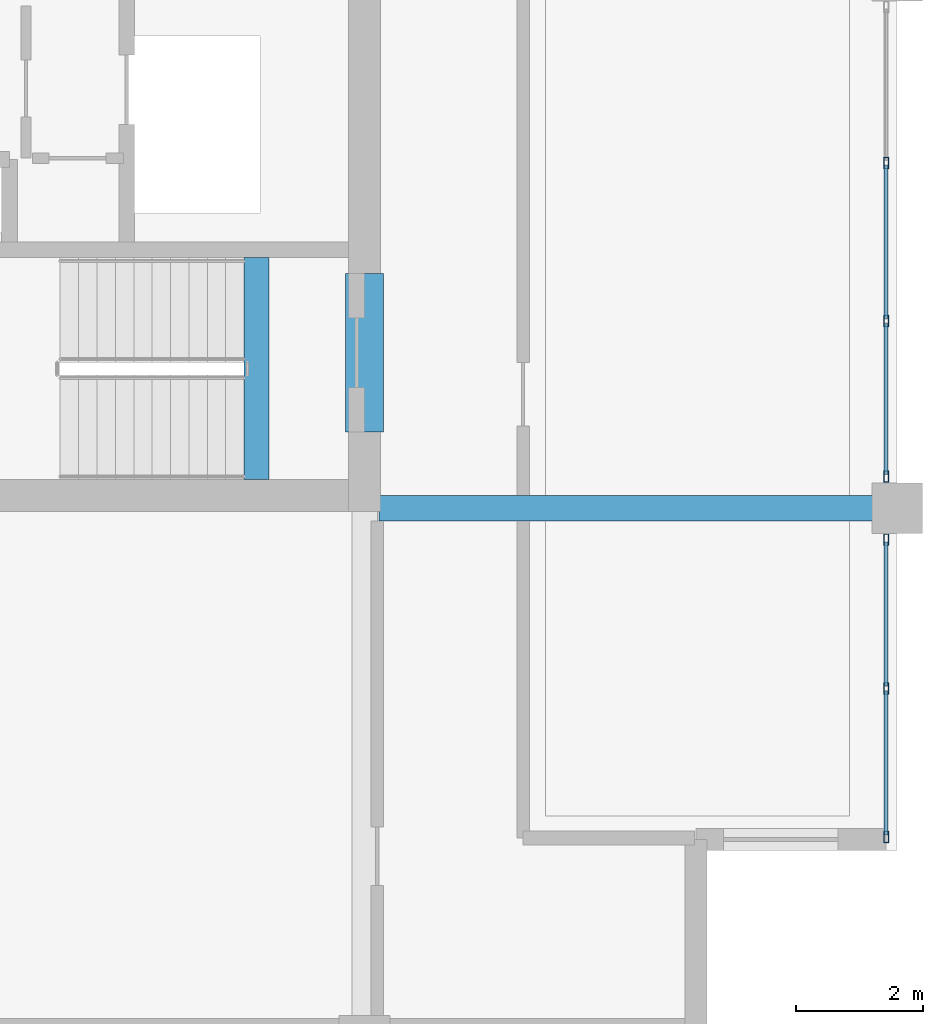
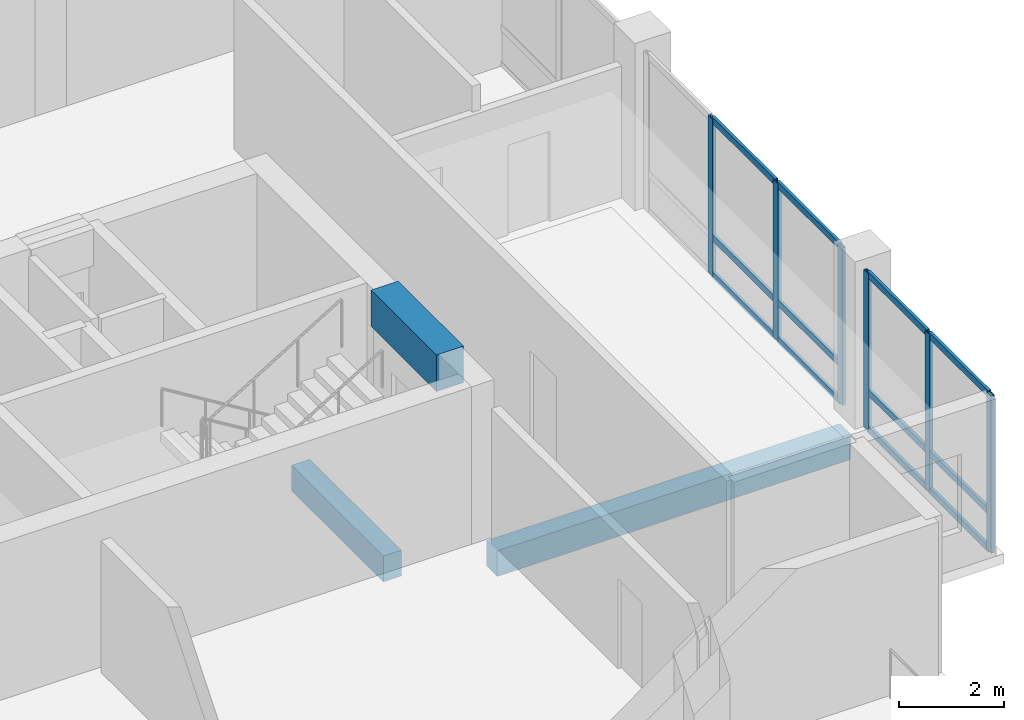
# One storey, part 2 of 14: 18 members, 3 beams, 2 elements without a shape of their own.
"""IFC4 building model written with IfcOpenShell, lengths in metres."""

from ifc_helpers import new_model, si_unit, direction, frame, origin, origin_2d, place, context, subcontext, project, spatial, rectangle, hollow_rectangle, extrude, material, layer, layer_set, material_profile, profile_set, type_object, element, aggregate, save


model = new_model("IFC4")

# Units and contexts
model_context = context("Model", 3, precision=1e-05, world=origin(), true_north=direction((0.0, 1.0)))
body_context = subcontext(model_context, "Body", "Model", "MODEL_VIEW")
ifc_project = project(units=[si_unit("LENGTHUNIT", "METRE"), si_unit("AREAUNIT", "SQUARE_METRE"), si_unit("VOLUMEUNIT", "CUBIC_METRE"), si_unit("PLANEANGLEUNIT", "RADIAN"), si_unit("MASSUNIT", "GRAM", prefix="KILO")], contexts=[model_context])

# Site, building, storey
site_placement = place(None, origin())
site = spatial("IfcSite", under=ifc_project, at=site_placement, CompositionType="ELEMENT")
building_placement = place(site_placement, origin())
building = spatial("IfcBuilding", under=site, at=building_placement, Name="Koriwani Terraces Tower", CompositionType="ELEMENT")
storey_placement = place(building_placement, frame((0.0, 0.0, 308.60009765625)))
storey = spatial("IfcBuildingStorey", under=building, at=storey_placement, Name="L76", CompositionType="ELEMENT", Elevation=308.60009765625)

# Beams
ifc_material_1 = material(Name="Concrete C50/60", Category="concrete")
ifc_material_profile_1 = material_profile(ifc_material_1, rectangle(XDim=0.60009765625, YDim=0.85009765625, at=origin_2d()), Name="Concrete C50/60", Category="LoadBearing")
ifc_profile_set_1 = profile_set([ifc_material_profile_1], Name="Concrete C50/60")
beam_type_1 = type_object("IfcBeamType", Name="BEAM_RC_COUPLING_600X850", PredefinedType="LINTEL", material=ifc_profile_set_1)
beam_1_placement = place(storey_placement, frame((58.800048828125, 18.0, 3.244873046875), z_axis=(0.0, 1.0, 0.0), x_axis=(-1.0, 0.0, 0.0)))
element("IfcBeam", 1, at=beam_1_placement, inside=storey, type_object=beam_type_1, Name="L76 Core Coupling Lintel Beam EE", PredefinedType="LINTEL", context=body_context, shape_type="SweptSolid", body=[
    extrude(rectangle(XDim=0.60009765625, YDim=0.85009765625, at=origin_2d()), origin(), (0.0, 0.0, 1.0), 2.5),
])
ifc_material_2 = material(Name="Concrete C40/50", Category="concrete")
ifc_material_profile_2 = material_profile(ifc_material_2, rectangle(XDim=0.39990234375, YDim=0.60009765625, at=origin_2d()), Name="Concrete C40/50", Category="LoadBearing")
ifc_profile_set_2 = profile_set([ifc_material_profile_2], Name="Concrete C40/50")
beam_type_2 = type_object("IfcBeamType", Name="BEAM_RC_GRID_400X600", PredefinedType="BEAM", material=ifc_profile_set_2)
beam_2_placement = place(storey_placement, frame((57.094970703125, 17.25, -0.300048828125), z_axis=(0.0, 1.0, 0.0), x_axis=(-1.0, 0.0, 0.0)))
element("IfcBeam", 2, at=beam_2_placement, inside=storey, type_object=beam_type_2, Name="L76 Stairwell Header Trimmer Beam ST-E2", PredefinedType="BEAM", context=body_context, shape_type="SweptSolid", body=[
    extrude(rectangle(XDim=0.39990234375, YDim=0.60009765625, at=origin_2d()), origin(), (0.0, 0.0, 1.0), 3.5),
])
beam_3_placement = place(storey_placement, frame((59.030029296875, 16.800048828125, -0.530029296875), z_axis=(1.0, 0.0, 0.0), x_axis=(0.0, 1.0, 0.0)))
element("IfcBeam", 3, at=beam_3_placement, inside=storey, type_object=beam_type_2, Name="L76 Grid Beam C (58.8-67.2m)", PredefinedType="BEAM", context=body_context, shape_type="SweptSolid", body=[
    extrude(rectangle(XDim=0.39990234375, YDim=0.60009765625, at=origin_2d()), origin(), (0.0, 0.0, 1.0), 7.7900390625),
])

# Curtain wall, members
ifc_material_3 = material(Name="Anodised Bronze Aluminium", Category="aluminium")
ifc_layer = layer(ifc_material_3, 0.18994140625, Name="Anodised Bronze Aluminium")
ifc_layer_set = layer_set([ifc_layer], Name="Anodised Bronze Aluminium")
curtain_wall_type = type_object("IfcCurtainWallType", Name="CW_PENTHOUSE_ZONE5", PredefinedType="NOTDEFINED", material=ifc_layer_set)
curtain_wall_1_placement = place(storey_placement, origin())
curtain_wall_1 = element("IfcCurtainWall", 4, at=curtain_wall_1_placement, inside=storey, type_object=curtain_wall_type, Name="L76 Unitised Curtain Wall (E_TIP) Bay 2", PredefinedType="NOTDEFINED")
ifc_material_profile_3 = material_profile(ifc_material_3, hollow_rectangle(XDim=0.074951171875, YDim=0.179931640625, WallThickness=0.006103515625, at=origin_2d()), Name="Anodised Bronze Aluminium", Category="LoadBearing")
ifc_profile_set_3 = profile_set([ifc_material_profile_3], Name="Anodised Bronze Aluminium")
member_type_1 = type_object("IfcMemberType", Name="CW_MULLION_180X75", PredefinedType="MULLION", material=ifc_profile_set_3)
member_1_placement = place(storey_placement, frame((67.02490234375, 22.24658203125, 0.0), z_axis=(0.0, 0.0, 1.0), x_axis=(1.0, 0.0, 0.0)))
member_1 = element("IfcMember", 5, at=member_1_placement, type_object=member_type_1, Name="CW-Z5 mullion 2", PredefinedType="MULLION", context=body_context, shape_type="SweptSolid", body=[
    extrude(hollow_rectangle(XDim=0.074951171875, YDim=0.179931640625, WallThickness=0.006103515625, at=origin_2d()), origin(), (0.0, 0.0, 1.0), 3.669921875),
])
member_2_placement = place(storey_placement, frame((67.02490234375, 19.75341796875, 0.0), z_axis=(0.0, 0.0, 1.0), x_axis=(1.0, 0.0, 0.0)))
member_2 = element("IfcMember", 6, at=member_2_placement, type_object=member_type_1, Name="CW-Z5 mullion 3", PredefinedType="MULLION", context=body_context, shape_type="SweptSolid", body=[
    extrude(hollow_rectangle(XDim=0.074951171875, YDim=0.179931640625, WallThickness=0.006103515625, at=origin_2d()), origin(), (0.0, 0.0, 1.0), 3.669921875),
])
member_3_placement = place(storey_placement, frame((67.02490234375, 17.297607421875, 0.0), z_axis=(0.0, 0.0, 1.0), x_axis=(1.0, 0.0, 0.0)))
member_3 = element("IfcMember", 7, at=member_3_placement, type_object=member_type_1, Name="CW-Z5 mullion 4", PredefinedType="MULLION", context=body_context, shape_type="SweptSolid", body=[
    extrude(hollow_rectangle(XDim=0.074951171875, YDim=0.179931640625, WallThickness=0.006103515625, at=origin_2d()), origin(), (0.0, 0.0, 1.0), 3.669921875),
])

curtain_wall_2_placement = place(storey_placement, origin())
curtain_wall_2 = element("IfcCurtainWall", 8, at=curtain_wall_2_placement, inside=storey, type_object=curtain_wall_type, Name="L76 Unitised Curtain Wall (E_TIP) Bay 3", PredefinedType="NOTDEFINED")
member_4_placement = place(storey_placement, frame((67.02490234375, 16.302490234375, 0.0), z_axis=(0.0, 0.0, 1.0), x_axis=(1.0, 0.0, 0.0)))
member_4 = element("IfcMember", 9, at=member_4_placement, type_object=member_type_1, Name="CW-Z5 mullion 1", PredefinedType="MULLION", context=body_context, shape_type="SweptSolid", body=[
    extrude(hollow_rectangle(XDim=0.074951171875, YDim=0.179931640625, WallThickness=0.006103515625, at=origin_2d()), origin(), (0.0, 0.0, 1.0), 3.669921875),
])
member_5_placement = place(storey_placement, frame((67.02490234375, 13.95751953125, 0.0), z_axis=(0.0, 0.0, 1.0), x_axis=(1.0, 0.0, 0.0)))
member_5 = element("IfcMember", 10, at=member_5_placement, type_object=member_type_1, Name="CW-Z5 mullion 2", PredefinedType="MULLION", context=body_context, shape_type="SweptSolid", body=[
    extrude(hollow_rectangle(XDim=0.074951171875, YDim=0.179931640625, WallThickness=0.006103515625, at=origin_2d()), origin(), (0.0, 0.0, 1.0), 3.669921875),
])
member_6_placement = place(storey_placement, frame((67.02490234375, 11.612548828125, 0.0), z_axis=(0.0, 0.0, 1.0), x_axis=(1.0, 0.0, 0.0)))
member_6 = element("IfcMember", 11, at=member_6_placement, type_object=member_type_1, Name="CW-Z5 mullion 3", PredefinedType="MULLION", context=body_context, shape_type="SweptSolid", body=[
    extrude(hollow_rectangle(XDim=0.074951171875, YDim=0.179931640625, WallThickness=0.006103515625, at=origin_2d()), origin(), (0.0, 0.0, 1.0), 3.669921875),
])

# Member
ifc_material_profile_4 = material_profile(ifc_material_3, hollow_rectangle(XDim=0.06494140625, YDim=0.14990234375, WallThickness=0.0048828125, at=origin_2d()), Name="Anodised Bronze Aluminium", Category="LoadBearing")
ifc_profile_set_4 = profile_set([ifc_material_profile_4], Name="Anodised Bronze Aluminium")
member_type_2 = type_object("IfcMemberType", Name="CW_TRANSOM_150X65", PredefinedType="USERDEFINED", material=ifc_profile_set_4)
member_7_placement = place(storey_placement, frame((67.02490234375, 22.209228515625, 0.032470703125), z_axis=(0.0, -1.0, 0.0), x_axis=(1.0, 0.0, 0.0)))
member_7 = element("IfcMember", 12, at=member_7_placement, type_object=member_type_2, Name="CW-Z5 transom 2.1", ObjectType="TRANSOM", PredefinedType="USERDEFINED", context=body_context, shape_type="SweptSolid", body=[
    extrude(hollow_rectangle(XDim=0.06494140625, YDim=0.14990234375, WallThickness=0.0048828125, at=origin_2d()), origin(), (0.0, 0.0, 1.0), 2.41845703125),
])

member_8_placement = place(storey_placement, frame((67.02490234375, 22.209228515625, 0.89990234375), z_axis=(0.0, -1.0, 0.0), x_axis=(1.0, 0.0, 0.0)))
member_8 = element("IfcMember", 13, at=member_8_placement, type_object=member_type_2, Name="CW-Z5 transom 2.2", ObjectType="TRANSOM", PredefinedType="USERDEFINED", context=body_context, shape_type="SweptSolid", body=[
    extrude(hollow_rectangle(XDim=0.06494140625, YDim=0.14990234375, WallThickness=0.0048828125, at=origin_2d()), origin(), (0.0, 0.0, 1.0), 2.41845703125),
])

member_9_placement = place(storey_placement, frame((67.02490234375, 22.209228515625, 3.637451171875), z_axis=(0.0, -1.0, 0.0), x_axis=(1.0, 0.0, 0.0)))
member_9 = element("IfcMember", 14, at=member_9_placement, type_object=member_type_2, Name="CW-Z5 transom 2.3", ObjectType="TRANSOM", PredefinedType="USERDEFINED", context=body_context, shape_type="SweptSolid", body=[
    extrude(hollow_rectangle(XDim=0.06494140625, YDim=0.14990234375, WallThickness=0.0048828125, at=origin_2d()), origin(), (0.0, 0.0, 1.0), 2.41845703125),
])

member_10_placement = place(storey_placement, frame((67.02490234375, 19.7158203125, 0.032470703125), z_axis=(0.0, -1.0, 0.0), x_axis=(1.0, 0.0, 0.0)))
member_10 = element("IfcMember", 15, at=member_10_placement, type_object=member_type_2, Name="CW-Z5 transom 3.1", ObjectType="TRANSOM", PredefinedType="USERDEFINED", context=body_context, shape_type="SweptSolid", body=[
    extrude(hollow_rectangle(XDim=0.06494140625, YDim=0.14990234375, WallThickness=0.0048828125, at=origin_2d()), origin(), (0.0, 0.0, 1.0), 2.380859375),
])

member_11_placement = place(storey_placement, frame((67.02490234375, 19.7158203125, 0.89990234375), z_axis=(0.0, -1.0, 0.0), x_axis=(1.0, 0.0, 0.0)))
member_11 = element("IfcMember", 16, at=member_11_placement, type_object=member_type_2, Name="CW-Z5 transom 3.2", ObjectType="TRANSOM", PredefinedType="USERDEFINED", context=body_context, shape_type="SweptSolid", body=[
    extrude(hollow_rectangle(XDim=0.06494140625, YDim=0.14990234375, WallThickness=0.0048828125, at=origin_2d()), origin(), (0.0, 0.0, 1.0), 2.380859375),
])

member_12_placement = place(storey_placement, frame((67.02490234375, 19.7158203125, 3.637451171875), z_axis=(0.0, -1.0, 0.0), x_axis=(1.0, 0.0, 0.0)))
member_12 = element("IfcMember", 17, at=member_12_placement, type_object=member_type_2, Name="CW-Z5 transom 3.3", ObjectType="TRANSOM", PredefinedType="USERDEFINED", context=body_context, shape_type="SweptSolid", body=[
    extrude(hollow_rectangle(XDim=0.06494140625, YDim=0.14990234375, WallThickness=0.0048828125, at=origin_2d()), origin(), (0.0, 0.0, 1.0), 2.380859375),
])

aggregate(curtain_wall_1, [member_1, member_2, member_3, member_7, member_8, member_9, member_10, member_11, member_12])

member_13_placement = place(storey_placement, frame((67.02490234375, 16.264892578125, 0.032470703125), z_axis=(0.0, -1.0, 0.0), x_axis=(1.0, 0.0, 0.0)))
member_13 = element("IfcMember", 18, at=member_13_placement, type_object=member_type_2, Name="CW-Z5 transom 1.1", ObjectType="TRANSOM", PredefinedType="USERDEFINED", context=body_context, shape_type="SweptSolid", body=[
    extrude(hollow_rectangle(XDim=0.06494140625, YDim=0.14990234375, WallThickness=0.0048828125, at=origin_2d()), origin(), (0.0, 0.0, 1.0), 2.269775390625),
])

member_14_placement = place(storey_placement, frame((67.02490234375, 16.264892578125, 0.89990234375), z_axis=(0.0, -1.0, 0.0), x_axis=(1.0, 0.0, 0.0)))
member_14 = element("IfcMember", 19, at=member_14_placement, type_object=member_type_2, Name="CW-Z5 transom 1.2", ObjectType="TRANSOM", PredefinedType="USERDEFINED", context=body_context, shape_type="SweptSolid", body=[
    extrude(hollow_rectangle(XDim=0.06494140625, YDim=0.14990234375, WallThickness=0.0048828125, at=origin_2d()), origin(), (0.0, 0.0, 1.0), 2.269775390625),
])

member_15_placement = place(storey_placement, frame((67.02490234375, 16.264892578125, 3.637451171875), z_axis=(0.0, -1.0, 0.0), x_axis=(1.0, 0.0, 0.0)))
member_15 = element("IfcMember", 20, at=member_15_placement, type_object=member_type_2, Name="CW-Z5 transom 1.3", ObjectType="TRANSOM", PredefinedType="USERDEFINED", context=body_context, shape_type="SweptSolid", body=[
    extrude(hollow_rectangle(XDim=0.06494140625, YDim=0.14990234375, WallThickness=0.0048828125, at=origin_2d()), origin(), (0.0, 0.0, 1.0), 2.269775390625),
])

member_16_placement = place(storey_placement, frame((67.02490234375, 13.919921875, 0.032470703125), z_axis=(0.0, -1.0, 0.0), x_axis=(1.0, 0.0, 0.0)))
member_16 = element("IfcMember", 21, at=member_16_placement, type_object=member_type_2, Name="CW-Z5 transom 2.1", ObjectType="TRANSOM", PredefinedType="USERDEFINED", context=body_context, shape_type="SweptSolid", body=[
    extrude(hollow_rectangle(XDim=0.06494140625, YDim=0.14990234375, WallThickness=0.0048828125, at=origin_2d()), origin(), (0.0, 0.0, 1.0), 2.27001953125),
])

member_17_placement = place(storey_placement, frame((67.02490234375, 13.919921875, 0.89990234375), z_axis=(0.0, -1.0, 0.0), x_axis=(1.0, 0.0, 0.0)))
member_17 = element("IfcMember", 22, at=member_17_placement, type_object=member_type_2, Name="CW-Z5 transom 2.2", ObjectType="TRANSOM", PredefinedType="USERDEFINED", context=body_context, shape_type="SweptSolid", body=[
    extrude(hollow_rectangle(XDim=0.06494140625, YDim=0.14990234375, WallThickness=0.0048828125, at=origin_2d()), origin(), (0.0, 0.0, 1.0), 2.27001953125),
])

member_18_placement = place(storey_placement, frame((67.02490234375, 13.919921875, 3.637451171875), z_axis=(0.0, -1.0, 0.0), x_axis=(1.0, 0.0, 0.0)))
member_18 = element("IfcMember", 23, at=member_18_placement, type_object=member_type_2, Name="CW-Z5 transom 2.3", ObjectType="TRANSOM", PredefinedType="USERDEFINED", context=body_context, shape_type="SweptSolid", body=[
    extrude(hollow_rectangle(XDim=0.06494140625, YDim=0.14990234375, WallThickness=0.0048828125, at=origin_2d()), origin(), (0.0, 0.0, 1.0), 2.27001953125),
])

aggregate(curtain_wall_2, [member_4, member_5, member_6, member_13, member_14, member_15, member_16, member_17, member_18])

save(model, "model.ifc")
